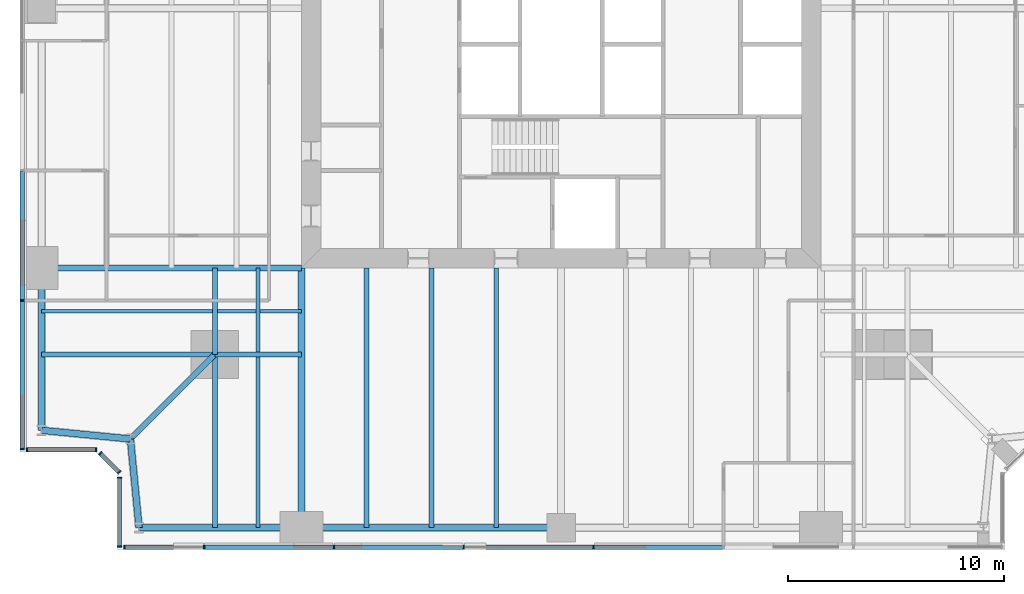
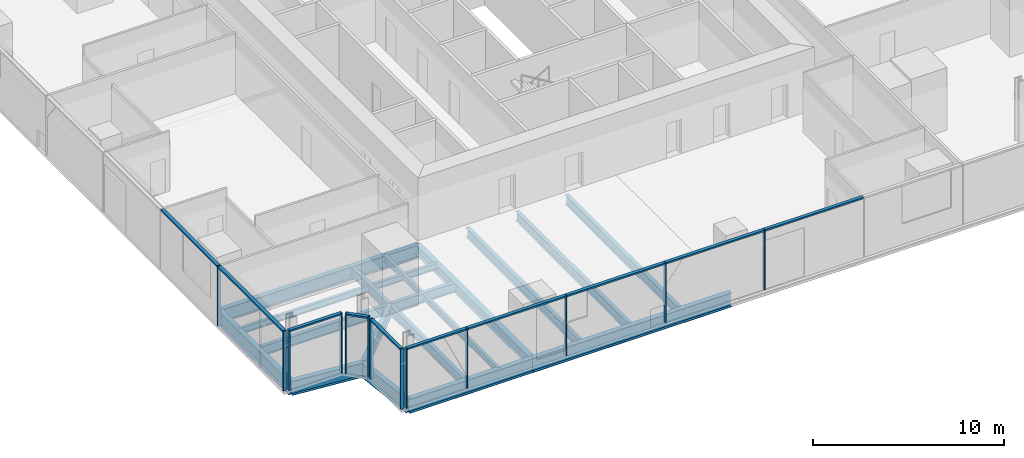
# One storey, part 2 of 14: 23 members, 20 beams, 5 elements without a shape of their own.
"""IFC4 building model written with IfcOpenShell, lengths in metres."""

from ifc_helpers import new_model, si_unit, direction, frame, origin, origin_2d, place, context, subcontext, project, spatial, rectangle, i_section, extrude, material, material_profile, profile_set, type_object, element, aggregate, save


model = new_model("IFC4")

# Units and contexts
model_context = context("Model", 3, precision=1e-05, world=origin(), true_north=direction((0.0, 1.0)))
body_context = subcontext(model_context, "Body", "Model", "MODEL_VIEW")
ifc_project = project(units=[si_unit("LENGTHUNIT", "METRE"), si_unit("AREAUNIT", "SQUARE_METRE"), si_unit("VOLUMEUNIT", "CUBIC_METRE"), si_unit("PLANEANGLEUNIT", "RADIAN"), si_unit("MASSUNIT", "GRAM", prefix="KILO")], contexts=[model_context])

# Site, building, storey
site_placement = place(None, origin())
site = spatial("IfcSite", under=ifc_project, at=site_placement, CompositionType="ELEMENT")
building_placement = place(site_placement, origin())
building = spatial("IfcBuilding", under=site, at=building_placement, Name="Fenwick Lantern Interchange", CompositionType="ELEMENT")
storey_placement = place(building_placement, frame((0.0, 0.0, 134.39990234375)))
storey = spatial("IfcBuildingStorey", under=building, at=storey_placement, Name="L31", CompositionType="ELEMENT", Elevation=134.39990234375)

# Beams
ifc_material_1 = material(Name="Steel ASTM A992 Grade 50", Category="steel")
ifc_material_profile_1 = material_profile(ifc_material_1, i_section(OverallWidth=0.3046875, OverallDepth=0.911865234375, WebThickness=0.015869140625, FlangeThickness=0.02392578125, at=origin_2d()), Name="W36X150")
ifc_profile_set_1 = profile_set([ifc_material_profile_1], Name="Steel ASTM A992 Grade 50")
beam_type_1 = type_object("IfcBeamType", Name="EDGE BEAM W36X150", PredefinedType="SPANDREL", material=ifc_profile_set_1)
beam_1_placement = place(storey_placement, frame((5.5, 1.0, -0.605712890625), z_axis=(1.0, 0.0, 0.0), x_axis=(0.0, 1.0, 0.0)))
element("IfcBeam", 1, at=beam_1_placement, inside=storey, type_object=beam_type_1, Name="L31/FR/S/EB1", PredefinedType="SPANDREL", context=body_context, shape_type="SweptSolid", body=[
    extrude(i_section(OverallWidth=0.3046875, OverallDepth=0.911865234375, WebThickness=0.015869140625, FlangeThickness=0.02392578125, at=origin_2d()), origin(), (0.0, 0.0, 1.0), 7.5),
])
beam_2_placement = place(storey_placement, frame((13.0, 1.0, -0.605712890625), z_axis=(1.0, 0.0, 0.0), x_axis=(0.0, 1.0, 0.0)))
element("IfcBeam", 2, at=beam_2_placement, inside=storey, type_object=beam_type_1, Name="L31/FR/S/EB2", PredefinedType="SPANDREL", context=body_context, shape_type="SweptSolid", body=[
    extrude(i_section(OverallWidth=0.3046875, OverallDepth=0.911865234375, WebThickness=0.015869140625, FlangeThickness=0.02392578125, at=origin_2d()), origin(), (0.0, 0.0, 1.0), 12.0),
])
beam_3_placement = place(storey_placement, frame((1.0, 13.0, -0.605712890625), z_axis=(0.0, -1.0, 0.0), x_axis=(1.0, 0.0, 0.0)))
element("IfcBeam", 3, at=beam_3_placement, inside=storey, type_object=beam_type_1, Name="L31/FR/W/EB4", PredefinedType="SPANDREL", context=body_context, shape_type="SweptSolid", body=[
    extrude(i_section(OverallWidth=0.3046875, OverallDepth=0.911865234375, WebThickness=0.015869140625, FlangeThickness=0.02392578125, at=origin_2d()), origin(), (0.0, 0.0, 1.0), 7.5),
])
for number, where, z_axis, x_axis, name in (
    (4, (1.0, 5.5, -0.605712890625), (0.995277148028, -0.097074191287, 0.0), (0.097074191287, 0.995277148028, 0.0), "L31/FR/W/EBR1"),
    (5, (5.10009765625, 5.10009765625, -0.605712890625), (0.097074191287, -0.995277148028, 0.0), (0.995277148028, 0.097074191287, 0.0), "L31/FR/W/EBR2"),
):
    element("IfcBeam", number, at=place(storey_placement, frame(where, z_axis=z_axis, x_axis=x_axis)), inside=storey, type_object=beam_type_1, Name=name, PredefinedType="SPANDREL", context=body_context, shape_type="SweptSolid", body=[
        extrude(i_section(OverallWidth=0.3046875, OverallDepth=0.911865234375, WebThickness=0.015869140625, FlangeThickness=0.02392578125, at=origin_2d()), origin(), (0.0, 0.0, 1.0), 4.11962890625),
    ])
ifc_material_profile_2 = material_profile(ifc_material_1, i_section(OverallWidth=0.22900390625, OverallDepth=0.612060546875, WebThickness=0.011962890625, FlangeThickness=0.01953125, at=origin_2d()), Name="W24X84")
ifc_profile_set_2 = profile_set([ifc_material_profile_2], Name="Steel ASTM A992 Grade 50")
beam_type_2 = type_object("IfcBeamType", Name="FLOOR BEAM W24X84", PredefinedType="BEAM", material=ifc_profile_set_2)
for number, where, z_axis, x_axis, name in (
    (6, (16.0, 1.0, -0.4560546875), (0.0, 1.0, 0.0), (-1.0, 0.0, 0.0), "L31/FR/S/R02"),
    (7, (19.0, 1.0, -0.4560546875), (0.0, 1.0, 0.0), (-1.0, 0.0, 0.0), "L31/FR/S/R03"),
    (8, (22.0, 1.0, -0.4560546875), (0.0, 1.0, 0.0), (-1.0, 0.0, 0.0), "L31/FR/S/R04"),
):
    element("IfcBeam", number, at=place(storey_placement, frame(where, z_axis=z_axis, x_axis=x_axis)), inside=storey, type_object=beam_type_2, Name=name, PredefinedType="BEAM", context=body_context, shape_type="SweptSolid", body=[
        extrude(i_section(OverallWidth=0.22900390625, OverallDepth=0.612060546875, WebThickness=0.011962890625, FlangeThickness=0.01953125, at=origin_2d()), origin(), (0.0, 0.0, 1.0), 12.0),
    ])
ifc_material_profile_3 = material_profile(ifc_material_1, i_section(OverallWidth=0.177734375, OverallDepth=0.406494140625, WebThickness=0.0078125, FlangeThickness=0.012939453125, at=origin_2d()), Name="W16X40")
ifc_profile_set_3 = profile_set([ifc_material_profile_3], Name="Steel ASTM A992 Grade 50")
beam_type_3 = type_object("IfcBeamType", Name="INFILL BEAM W16X40", PredefinedType="JOIST", material=ifc_profile_set_3)
beam_4_placement = place(storey_placement, frame((11.0, 1.0, -0.35302734375), z_axis=(0.0, 1.0, 0.0), x_axis=(-1.0, 0.0, 0.0)))
element("IfcBeam", 9, at=beam_4_placement, inside=storey, type_object=beam_type_3, Name="L31/FR/S/J1", PredefinedType="JOIST", context=body_context, shape_type="SweptSolid", body=[
    extrude(i_section(OverallWidth=0.177734375, OverallDepth=0.406494140625, WebThickness=0.0078125, FlangeThickness=0.012939453125, at=origin_2d()), origin(), (0.0, 0.0, 1.0), 7.885498046875),
])
beam_5_placement = place(storey_placement, frame((11.0, 9.114501953125, -0.35302734375), z_axis=(0.0, 1.0, 0.0), x_axis=(-1.0, 0.0, 0.0)))
element("IfcBeam", 10, at=beam_5_placement, inside=storey, type_object=beam_type_3, Name="L31/FR/S/J2", PredefinedType="JOIST", context=body_context, shape_type="SweptSolid", body=[
    extrude(i_section(OverallWidth=0.177734375, OverallDepth=0.406494140625, WebThickness=0.0078125, FlangeThickness=0.012939453125, at=origin_2d()), origin(), (0.0, 0.0, 1.0), 3.885498046875),
])
beam_6_placement = place(storey_placement, frame((1.0, 11.0, -0.35302734375), z_axis=(1.0, 0.0, 0.0), x_axis=(0.0, 1.0, 0.0)))
element("IfcBeam", 11, at=beam_6_placement, inside=storey, type_object=beam_type_3, Name="L31/FR/S/J3", PredefinedType="JOIST", context=body_context, shape_type="SweptSolid", body=[
    extrude(i_section(OverallWidth=0.177734375, OverallDepth=0.406494140625, WebThickness=0.0078125, FlangeThickness=0.012939453125, at=origin_2d()), origin(), (0.0, 0.0, 1.0), 7.885498046875),
])
beam_7_placement = place(storey_placement, frame((9.114501953125, 11.0, -0.35302734375), z_axis=(1.0, 0.0, 0.0), x_axis=(0.0, 1.0, 0.0)))
element("IfcBeam", 12, at=beam_7_placement, inside=storey, type_object=beam_type_3, Name="L31/FR/S/J4", PredefinedType="JOIST", context=body_context, shape_type="SweptSolid", body=[
    extrude(i_section(OverallWidth=0.177734375, OverallDepth=0.406494140625, WebThickness=0.0078125, FlangeThickness=0.012939453125, at=origin_2d()), origin(), (0.0, 0.0, 1.0), 1.796630859375),
])
beam_8_placement = place(storey_placement, frame((11.0888671875, 11.0, -0.35302734375), z_axis=(1.0, 0.0, 0.0), x_axis=(0.0, 1.0, 0.0)))
element("IfcBeam", 13, at=beam_8_placement, inside=storey, type_object=beam_type_3, Name="L31/FR/S/J5", PredefinedType="JOIST", context=body_context, shape_type="SweptSolid", body=[
    extrude(i_section(OverallWidth=0.177734375, OverallDepth=0.406494140625, WebThickness=0.0078125, FlangeThickness=0.012939453125, at=origin_2d()), origin(), (0.0, 0.0, 1.0), 1.9111328125),
])
ifc_material_profile_4 = material_profile(ifc_material_1, i_section(OverallWidth=0.22900390625, OverallDepth=0.612060546875, WebThickness=0.011962890625, FlangeThickness=0.01953125, at=origin_2d()), Name="W24X84")
ifc_profile_set_4 = profile_set([ifc_material_profile_4], Name="Steel ASTM A992 Grade 50")
beam_type_4 = type_object("IfcBeamType", Name="MEGA COLUMN BEAM W24X84", PredefinedType="BEAM", material=ifc_profile_set_4)
for number, where, z_axis, x_axis, name in (
    (14, (9.0, 9.0, -0.4560546875), (0.0, -1.0, 0.0), (1.0, 0.0, 0.0), "L31/FR/S/MB1"),
    (15, (9.0, 9.0, -0.4560546875), (-1.0, 0.0, 0.0), (0.0, -1.0, 0.0), "L31/FR/S/MB2"),
):
    element("IfcBeam", number, at=place(storey_placement, frame(where, z_axis=z_axis, x_axis=x_axis)), inside=storey, type_object=beam_type_4, Name=name, PredefinedType="BEAM", context=body_context, shape_type="SweptSolid", body=[
        extrude(i_section(OverallWidth=0.22900390625, OverallDepth=0.612060546875, WebThickness=0.011962890625, FlangeThickness=0.01953125, at=origin_2d()), origin(), (0.0, 0.0, 1.0), 8.0),
    ])
for number, where, z_axis, x_axis, name in (
    (16, (9.0, 9.0, -0.4560546875), (1.0, 0.0, 0.0), (0.0, 1.0, 0.0), "L31/FR/S/MB3"),
    (17, (9.0, 9.0, -0.4560546875), (0.0, 1.0, 0.0), (-1.0, 0.0, 0.0), "L31/FR/S/MB4"),
):
    element("IfcBeam", number, at=place(storey_placement, frame(where, z_axis=z_axis, x_axis=x_axis)), inside=storey, type_object=beam_type_4, Name=name, PredefinedType="BEAM", context=body_context, shape_type="SweptSolid", body=[
        extrude(i_section(OverallWidth=0.22900390625, OverallDepth=0.612060546875, WebThickness=0.011962890625, FlangeThickness=0.01953125, at=origin_2d()), origin(), (0.0, 0.0, 1.0), 4.0),
    ])
ifc_material_profile_5 = material_profile(ifc_material_1, i_section(OverallWidth=0.32763671875, OverallDepth=0.622314453125, WebThickness=0.015380859375, FlangeThickness=0.0244140625, at=origin_2d()), Name="W24X131")
ifc_profile_set_5 = profile_set([ifc_material_profile_5], Name="Steel ASTM A992 Grade 50")
beam_type_5 = type_object("IfcBeamType", Name="MOMENT-CONNECTED GIRDER W24X131", PredefinedType="BEAM", material=ifc_profile_set_5)
beam_9_placement = place(storey_placement, frame((13.0, 1.0, -0.4609375), z_axis=(0.0, 1.0, 0.0), x_axis=(-1.0, 0.0, 0.0)))
element("IfcBeam", 18, at=beam_9_placement, inside=storey, type_object=beam_type_5, Name="L31/FR/S/R01", PredefinedType="BEAM", context=body_context, shape_type="SweptSolid", body=[
    extrude(i_section(OverallWidth=0.32763671875, OverallDepth=0.622314453125, WebThickness=0.015380859375, FlangeThickness=0.0244140625, at=origin_2d()), origin(), (0.0, 0.0, 1.0), 12.0),
])
ifc_material_profile_6 = material_profile(ifc_material_1, i_section(OverallWidth=0.2919921875, OverallDepth=0.845703125, WebThickness=0.015380859375, FlangeThickness=0.0244140625, at=origin_2d()), Name="W33X141")
ifc_profile_set_6 = profile_set([ifc_material_profile_6], Name="Steel ASTM A992 Grade 50")
beam_type_6 = type_object("IfcBeamType", Name="MOMENT-CONNECTED GIRDER W33X141", PredefinedType="BEAM", material=ifc_profile_set_6)
beam_10_placement = place(storey_placement, frame((1.0, 13.0, -0.57275390625), z_axis=(1.0, 0.0, 0.0), x_axis=(0.0, 1.0, 0.0)))
element("IfcBeam", 19, at=beam_10_placement, inside=storey, type_object=beam_type_6, Name="L31/FR/W/R03", PredefinedType="BEAM", context=body_context, shape_type="SweptSolid", body=[
    extrude(i_section(OverallWidth=0.2919921875, OverallDepth=0.845703125, WebThickness=0.015380859375, FlangeThickness=0.0244140625, at=origin_2d()), origin(), (0.0, 0.0, 1.0), 12.0),
])
ifc_material_profile_7 = material_profile(ifc_material_1, i_section(OverallWidth=0.2666015625, OverallDepth=0.7568359375, WebThickness=0.013916015625, FlangeThickness=0.019287109375, at=origin_2d()), Name="W30X108")
ifc_profile_set_7 = profile_set([ifc_material_profile_7], Name="Steel ASTM A992 Grade 50")
beam_type_7 = type_object("IfcBeamType", Name="NOTCH BEAM W30X108", PredefinedType="BEAM", material=ifc_profile_set_7)
beam_11_placement = place(storey_placement, frame((9.0, 9.0, -0.5283203125), z_axis=(-0.707106781187, -0.707106781187, 0.0), x_axis=(0.707106781187, -0.707106781187, 0.0)))
element("IfcBeam", 20, at=beam_11_placement, inside=storey, type_object=beam_type_7, Name="L31/FR/S/TG", PredefinedType="BEAM", context=body_context, shape_type="SweptSolid", body=[
    extrude(i_section(OverallWidth=0.2666015625, OverallDepth=0.7568359375, WebThickness=0.013916015625, FlangeThickness=0.019287109375, at=origin_2d()), origin(), (0.0, 0.0, 1.0), 5.515380859375),
])

# Curtain wall, members
ifc_material_2 = material(Name="Aluminium curtain wall frame", Category="aluminium")
curtain_wall_type = type_object("IfcCurtainWallType", Name="OFFICE CURTAIN WALL", PredefinedType="USERDEFINED", material=ifc_material_2)
curtain_wall_1_placement = place(storey_placement, origin())
curtain_wall_1 = element("IfcCurtainWall", 21, at=curtain_wall_1_placement, inside=storey, type_object=curtain_wall_type, Name="Office curtain wall 01", ObjectType="OFFICE CURTAIN WALL", PredefinedType="USERDEFINED")
ifc_material_3 = material(Name="Aluminium extrusion", Category="aluminium")
ifc_material_profile_8 = material_profile(ifc_material_3, rectangle(XDim=0.199951171875, YDim=0.06494140625, at=origin_2d()), Name="OFFICE CURTAIN WALL MULLION 65 X 200")
ifc_profile_set_8 = profile_set([ifc_material_profile_8], Name="Aluminium extrusion")
member_type_1 = type_object("IfcMemberType", Name="OFFICE CURTAIN WALL MULLION 65 X 200", PredefinedType="MULLION", material=ifc_profile_set_8)
member_1_placement = place(storey_placement, frame((4.83251953125, 0.10009765625, 0.0), z_axis=(0.0, 0.0, 1.0), x_axis=(0.0, 1.0, 0.0)))
member_1 = element("IfcMember", 22, at=member_1_placement, type_object=member_type_1, Name="L31/CW/01/M00", PredefinedType="MULLION", context=body_context, shape_type="SweptSolid", body=[
    extrude(rectangle(XDim=0.199951171875, YDim=0.06494140625, at=origin_2d()), origin(), (0.0, 0.0, 1.0), 3.85009765625),
])
member_2_placement = place(storey_placement, frame((8.5, 0.10009765625, 0.0), z_axis=(0.0, 0.0, 1.0), x_axis=(0.0, 1.0, 0.0)))
member_2 = element("IfcMember", 23, at=member_2_placement, type_object=member_type_1, Name="L31/CW/01/M01", PredefinedType="MULLION", context=body_context, shape_type="SweptSolid", body=[
    extrude(rectangle(XDim=0.199951171875, YDim=0.06494140625, at=origin_2d()), origin(), (0.0, 0.0, 1.0), 3.85009765625),
])
member_3_placement = place(storey_placement, frame((14.5, 0.10009765625, 0.0), z_axis=(0.0, 0.0, 1.0), x_axis=(0.0, 1.0, 0.0)))
member_3 = element("IfcMember", 24, at=member_3_placement, type_object=member_type_1, Name="L31/CW/01/M02", PredefinedType="MULLION", context=body_context, shape_type="SweptSolid", body=[
    extrude(rectangle(XDim=0.199951171875, YDim=0.06494140625, at=origin_2d()), origin(), (0.0, 0.0, 1.0), 3.85009765625),
])
member_4_placement = place(storey_placement, frame((20.5, 0.10009765625, 0.0), z_axis=(0.0, 0.0, 1.0), x_axis=(0.0, 1.0, 0.0)))
member_4 = element("IfcMember", 25, at=member_4_placement, type_object=member_type_1, Name="L31/CW/01/M03", PredefinedType="MULLION", context=body_context, shape_type="SweptSolid", body=[
    extrude(rectangle(XDim=0.199951171875, YDim=0.06494140625, at=origin_2d()), origin(), (0.0, 0.0, 1.0), 3.85009765625),
])
member_5_placement = place(storey_placement, frame((26.5, 0.10009765625, 0.0), z_axis=(0.0, 0.0, 1.0), x_axis=(0.0, 1.0, 0.0)))
member_5 = element("IfcMember", 26, at=member_5_placement, type_object=member_type_1, Name="L31/CW/01/M04", PredefinedType="MULLION", context=body_context, shape_type="SweptSolid", body=[
    extrude(rectangle(XDim=0.199951171875, YDim=0.06494140625, at=origin_2d()), origin(), (0.0, 0.0, 1.0), 3.85009765625),
])

curtain_wall_2_placement = place(storey_placement, origin())
curtain_wall_2 = element("IfcCurtainWall", 27, at=curtain_wall_2_placement, inside=storey, type_object=curtain_wall_type, Name="Office curtain wall 13", ObjectType="OFFICE CURTAIN WALL", PredefinedType="USERDEFINED")
member_6_placement = place(storey_placement, frame((0.10009765625, 11.5, 0.0), z_axis=(0.0, 0.0, 1.0), x_axis=(1.0, 0.0, 0.0)))
member_6 = element("IfcMember", 28, at=member_6_placement, type_object=member_type_1, Name="L31/CW/13/M06", PredefinedType="MULLION", context=body_context, shape_type="SweptSolid", body=[
    extrude(rectangle(XDim=0.199951171875, YDim=0.06494140625, at=origin_2d()), origin(), (0.0, 0.0, 1.0), 3.85009765625),
])
member_7_placement = place(storey_placement, frame((0.10009765625, 4.632568359375, 0.0), z_axis=(0.0, 0.0, 1.0), x_axis=(1.0, 0.0, 0.0)))
member_7 = element("IfcMember", 29, at=member_7_placement, type_object=member_type_1, Name="L31/CW/13/M07", PredefinedType="MULLION", context=body_context, shape_type="SweptSolid", body=[
    extrude(rectangle(XDim=0.199951171875, YDim=0.06494140625, at=origin_2d()), origin(), (0.0, 0.0, 1.0), 3.85009765625),
])

curtain_wall_3_placement = place(storey_placement, origin())
curtain_wall_3 = element("IfcCurtainWall", 30, at=curtain_wall_3_placement, inside=storey, type_object=curtain_wall_type, Name="Office curtain wall 14", ObjectType="OFFICE CURTAIN WALL", PredefinedType="USERDEFINED")
member_8_placement = place(storey_placement, frame((0.33251953125, 4.60009765625, 0.0), z_axis=(0.0, 0.0, 1.0), x_axis=(0.0, 1.0, 0.0)))
member_8 = element("IfcMember", 31, at=member_8_placement, type_object=member_type_1, Name="L31/CW/14/M00", PredefinedType="MULLION", context=body_context, shape_type="SweptSolid", body=[
    extrude(rectangle(XDim=0.199951171875, YDim=0.06494140625, at=origin_2d()), origin(), (0.0, 0.0, 1.0), 3.85009765625),
])
member_9_placement = place(storey_placement, frame((3.509033203125, 4.60009765625, 0.0), z_axis=(0.0, 0.0, 1.0), x_axis=(0.0, 1.0, 0.0)))
member_9 = element("IfcMember", 32, at=member_9_placement, type_object=member_type_1, Name="L31/CW/14/M01", PredefinedType="MULLION", context=body_context, shape_type="SweptSolid", body=[
    extrude(rectangle(XDim=0.199951171875, YDim=0.06494140625, at=origin_2d()), origin(), (0.0, 0.0, 1.0), 3.85009765625),
])

curtain_wall_4_placement = place(storey_placement, origin())
curtain_wall_4 = element("IfcCurtainWall", 33, at=curtain_wall_4_placement, inside=storey, type_object=curtain_wall_type, Name="Office curtain wall 15", ObjectType="OFFICE CURTAIN WALL", PredefinedType="USERDEFINED")
member_10_placement = place(storey_placement, frame((3.705810546875, 4.435546875, 0.0), z_axis=(0.0, 0.0, 1.0), x_axis=(0.707106781187, 0.707106781187, 0.0)))
member_10 = element("IfcMember", 34, at=member_10_placement, type_object=member_type_1, Name="L31/CW/15/M00", PredefinedType="MULLION", context=body_context, shape_type="SweptSolid", body=[
    extrude(rectangle(XDim=0.199951171875, YDim=0.06494140625, at=origin_2d()), origin(), (0.0, 0.0, 1.0), 3.85009765625),
])
member_11_placement = place(storey_placement, frame((4.576904296875, 3.564453125, 0.0), z_axis=(0.0, 0.0, 1.0), x_axis=(0.707106781187, 0.707106781187, 0.0)))
member_11 = element("IfcMember", 35, at=member_11_placement, type_object=member_type_1, Name="L31/CW/15/M01", PredefinedType="MULLION", context=body_context, shape_type="SweptSolid", body=[
    extrude(rectangle(XDim=0.199951171875, YDim=0.06494140625, at=origin_2d()), origin(), (0.0, 0.0, 1.0), 3.85009765625),
])

curtain_wall_5_placement = place(storey_placement, origin())
curtain_wall_5 = element("IfcCurtainWall", 36, at=curtain_wall_5_placement, inside=storey, type_object=curtain_wall_type, Name="Office curtain wall 16", ObjectType="OFFICE CURTAIN WALL", PredefinedType="USERDEFINED")
member_12_placement = place(storey_placement, frame((4.60009765625, 3.308837890625, 0.0), z_axis=(0.0, 0.0, 1.0), x_axis=(1.0, 0.0, 0.0)))
member_12 = element("IfcMember", 37, at=member_12_placement, type_object=member_type_1, Name="L31/CW/16/M00", PredefinedType="MULLION", context=body_context, shape_type="SweptSolid", body=[
    extrude(rectangle(XDim=0.199951171875, YDim=0.06494140625, at=origin_2d()), origin(), (0.0, 0.0, 1.0), 3.85009765625),
])
member_13_placement = place(storey_placement, frame((4.60009765625, 0.132568359375, 0.0), z_axis=(0.0, 0.0, 1.0), x_axis=(1.0, 0.0, 0.0)))
member_13 = element("IfcMember", 38, at=member_13_placement, type_object=member_type_1, Name="L31/CW/16/M01", PredefinedType="MULLION", context=body_context, shape_type="SweptSolid", body=[
    extrude(rectangle(XDim=0.199951171875, YDim=0.06494140625, at=origin_2d()), origin(), (0.0, 0.0, 1.0), 3.85009765625),
])

# Member
ifc_material_profile_9 = material_profile(ifc_material_3, rectangle(XDim=0.199951171875, YDim=0.10009765625, at=origin_2d()), Name="OFFICE CURTAIN WALL TRANSOM 100 X 200")
ifc_profile_set_9 = profile_set([ifc_material_profile_9], Name="Aluminium extrusion")
member_type_2 = type_object("IfcMemberType", Name="OFFICE CURTAIN WALL TRANSOM 100 X 200", PredefinedType="MULLION", material=ifc_profile_set_9)
member_14_placement = place(storey_placement, frame((4.864990234375, 0.10009765625, 3.800048828125), z_axis=(1.0, 0.0, 0.0), x_axis=(0.0, 1.0, 0.0)))
member_14 = element("IfcMember", 39, at=member_14_placement, type_object=member_type_2, Name="L31/CW/01/T00", PredefinedType="MULLION", context=body_context, shape_type="SweptSolid", body=[
    extrude(rectangle(XDim=0.199951171875, YDim=0.10009765625, at=origin_2d()), origin(), (0.0, 0.0, 1.0), 3.6025390625),
])

member_15_placement = place(storey_placement, frame((8.532470703125, 0.10009765625, 3.800048828125), z_axis=(1.0, 0.0, 0.0), x_axis=(0.0, 1.0, 0.0)))
member_15 = element("IfcMember", 40, at=member_15_placement, type_object=member_type_2, Name="L31/CW/01/T01", PredefinedType="MULLION", context=body_context, shape_type="SweptSolid", body=[
    extrude(rectangle(XDim=0.199951171875, YDim=0.10009765625, at=origin_2d()), origin(), (0.0, 0.0, 1.0), 5.93505859375),
])

member_16_placement = place(storey_placement, frame((14.532470703125, 0.10009765625, 3.800048828125), z_axis=(1.0, 0.0, 0.0), x_axis=(0.0, 1.0, 0.0)))
member_16 = element("IfcMember", 41, at=member_16_placement, type_object=member_type_2, Name="L31/CW/01/T02", PredefinedType="MULLION", context=body_context, shape_type="SweptSolid", body=[
    extrude(rectangle(XDim=0.199951171875, YDim=0.10009765625, at=origin_2d()), origin(), (0.0, 0.0, 1.0), 5.93505859375),
])

member_17_placement = place(storey_placement, frame((20.532470703125, 0.10009765625, 3.800048828125), z_axis=(1.0, 0.0, 0.0), x_axis=(0.0, 1.0, 0.0)))
member_17 = element("IfcMember", 42, at=member_17_placement, type_object=member_type_2, Name="L31/CW/01/T03", PredefinedType="MULLION", context=body_context, shape_type="SweptSolid", body=[
    extrude(rectangle(XDim=0.199951171875, YDim=0.10009765625, at=origin_2d()), origin(), (0.0, 0.0, 1.0), 5.93505859375),
])

member_18_placement = place(storey_placement, frame((26.532470703125, 0.10009765625, 3.800048828125), z_axis=(1.0, 0.0, 0.0), x_axis=(0.0, 1.0, 0.0)))
member_18 = element("IfcMember", 43, at=member_18_placement, type_object=member_type_2, Name="L31/CW/01/T04", PredefinedType="MULLION", context=body_context, shape_type="SweptSolid", body=[
    extrude(rectangle(XDim=0.199951171875, YDim=0.10009765625, at=origin_2d()), origin(), (0.0, 0.0, 1.0), 5.93505859375),
])

aggregate(curtain_wall_1, [member_1, member_2, member_3, member_4, member_5, member_14, member_15, member_16, member_17, member_18])

member_19_placement = place(storey_placement, frame((0.10009765625, 17.467529296875, 3.800048828125), z_axis=(0.0, -1.0, 0.0), x_axis=(1.0, 0.0, 0.0)))
member_19 = element("IfcMember", 44, at=member_19_placement, type_object=member_type_2, Name="L31/CW/13/T05", PredefinedType="MULLION", context=body_context, shape_type="SweptSolid", body=[
    extrude(rectangle(XDim=0.199951171875, YDim=0.10009765625, at=origin_2d()), origin(), (0.0, 0.0, 1.0), 5.93505859375),
])

member_20_placement = place(storey_placement, frame((0.10009765625, 11.467529296875, 3.800048828125), z_axis=(0.0, -1.0, 0.0), x_axis=(1.0, 0.0, 0.0)))
member_20 = element("IfcMember", 45, at=member_20_placement, type_object=member_type_2, Name="L31/CW/13/T06", PredefinedType="MULLION", context=body_context, shape_type="SweptSolid", body=[
    extrude(rectangle(XDim=0.199951171875, YDim=0.10009765625, at=origin_2d()), origin(), (0.0, 0.0, 1.0), 6.802490234375),
])

aggregate(curtain_wall_2, [member_6, member_7, member_19, member_20])

member_21_placement = place(storey_placement, frame((0.364990234375, 4.60009765625, 3.800048828125), z_axis=(1.0, 0.0, 0.0), x_axis=(0.0, 1.0, 0.0)))
member_21 = element("IfcMember", 46, at=member_21_placement, type_object=member_type_2, Name="L31/CW/14/T00", PredefinedType="MULLION", context=body_context, shape_type="SweptSolid", body=[
    extrude(rectangle(XDim=0.199951171875, YDim=0.10009765625, at=origin_2d()), origin(), (0.0, 0.0, 1.0), 3.111328125),
])

aggregate(curtain_wall_3, [member_8, member_9, member_21])

member_22_placement = place(storey_placement, frame((3.728759765625, 4.41259765625, 3.800048828125), z_axis=(0.707106781187, -0.707106781187, 0.0), x_axis=(0.707106781187, 0.707106781187, 0.0)))
member_22 = element("IfcMember", 47, at=member_22_placement, type_object=member_type_2, Name="L31/CW/15/T00", PredefinedType="MULLION", context=body_context, shape_type="SweptSolid", body=[
    extrude(rectangle(XDim=0.199951171875, YDim=0.10009765625, at=origin_2d()), origin(), (0.0, 0.0, 1.0), 1.1669921875),
])

aggregate(curtain_wall_4, [member_10, member_11, member_22])

member_23_placement = place(storey_placement, frame((4.60009765625, 3.2763671875, 3.800048828125), z_axis=(0.0, -1.0, 0.0), x_axis=(1.0, 0.0, 0.0)))
member_23 = element("IfcMember", 48, at=member_23_placement, type_object=member_type_2, Name="L31/CW/16/T00", PredefinedType="MULLION", context=body_context, shape_type="SweptSolid", body=[
    extrude(rectangle(XDim=0.199951171875, YDim=0.10009765625, at=origin_2d()), origin(), (0.0, 0.0, 1.0), 3.111328125),
])

aggregate(curtain_wall_5, [member_12, member_13, member_23])

save(model, "model.ifc")
